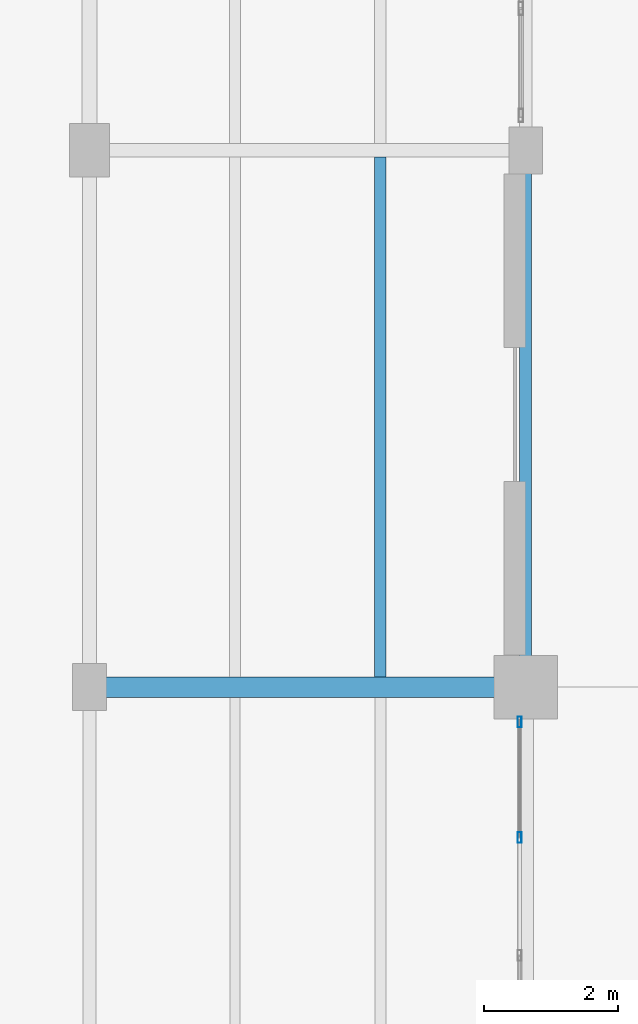
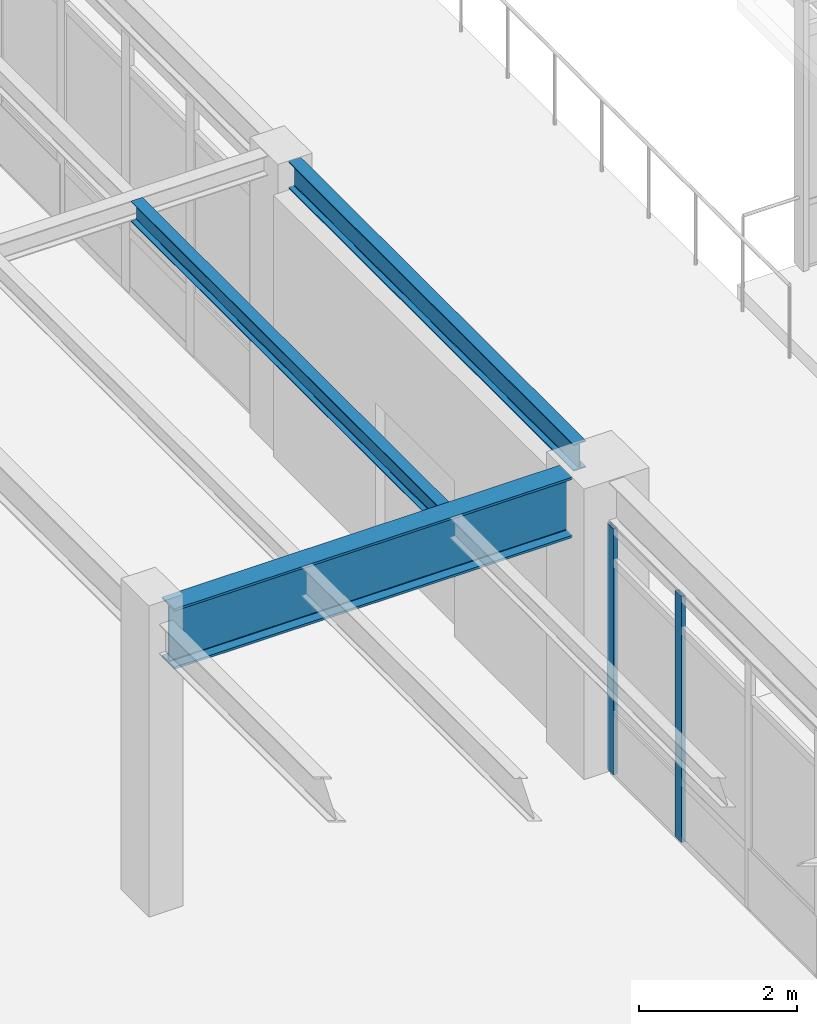
# One storey, part 121 of 200: 3 beams, 2 members, 1 element without a shape of its own.
"""IFC4 building model written with IfcOpenShell, lengths in metres."""

from ifc_helpers import new_model, si_unit, direction, frame, origin, origin_2d, place, context, subcontext, project, spatial, hollow_rectangle, i_section, extrude, material, material_profile, profile_set, type_object, element, aggregate, save


model = new_model("IFC4")

# Units and contexts
model_context = context("Model", 3, precision=1e-05, world=origin(), true_north=direction((0.0, 1.0)))
body_context = subcontext(model_context, "Body", "Model", "MODEL_VIEW")
ifc_project = project(units=[si_unit("LENGTHUNIT", "METRE"), si_unit("AREAUNIT", "SQUARE_METRE"), si_unit("VOLUMEUNIT", "CUBIC_METRE"), si_unit("PLANEANGLEUNIT", "RADIAN"), si_unit("MASSUNIT", "GRAM", prefix="KILO"), si_unit("THERMODYNAMICTEMPERATUREUNIT", "KELVIN"), si_unit("POWERUNIT", "WATT")], contexts=[model_context])

# Site, building, storey
site_placement = place(None, origin())
site = spatial("IfcSite", under=ifc_project, at=site_placement, CompositionType="ELEMENT")
building_placement = place(site_placement, origin())
building = spatial("IfcBuilding", under=site, at=building_placement, Name="Tepalcoro Natatorium and Aquatics Centre", CompositionType="ELEMENT")
storey_placement = place(building_placement, frame((0.0, 0.0, 5.39990234375)))
storey = spatial("IfcBuildingStorey", under=building, at=storey_placement, Name="L01", CompositionType="ELEMENT", Elevation=5.39990234375)

# Beam
ifc_material_1 = material(Name="Steel ASTM A992 Grade 50 (Fy 345 MPa)", Category="steel")
ifc_material_profile_1 = material_profile(ifc_material_1, i_section(OverallWidth=0.31005859375, OverallDepth=0.931884765625, WebThickness=0.02099609375, FlangeThickness=0.034912109375, FilletRadius=0.013916015625, at=origin_2d()), Name="W36X210")
ifc_profile_set_1 = profile_set([ifc_material_profile_1], Name="Steel ASTM A992 Grade 50 (Fy 345 MPa)")
beam_type_1 = type_object("IfcBeamType", Name="BM_W36x210", PredefinedType="BEAM", material=ifc_profile_set_1)
beam_1_placement = place(storey_placement, frame((125.235107421875, 36.0, 3.9990234375), z_axis=(1.0, 0.0, 0.0), x_axis=(0.0, 1.0, 0.0)))
element("IfcBeam", 1, at=beam_1_placement, inside=storey, type_object=beam_type_1, Name="V1 L01 Grid Girder X", PredefinedType="BEAM", context=body_context, shape_type="SweptSolid", body=[
    extrude(i_section(OverallWidth=0.31005859375, OverallDepth=0.931884765625, WebThickness=0.02099609375, FlangeThickness=0.034912109375, FilletRadius=0.013916015625, at=origin_2d()), origin(), (0.0, 0.0, 1.0), 5.804931640625),
])

# Curtain wall, members
ifc_material_2 = material(Name="Bronze-Anodised Extruded Aluminium Alloy EN AW-6063 T6", Category="aluminium")
curtain_wall_type = type_object("IfcCurtainWallType", Name="CW_V1_PLINTH", PredefinedType="USERDEFINED", material=ifc_material_2)
curtain_wall_placement = place(storey_placement, origin())
curtain_wall = element("IfcCurtainWall", 2, at=curtain_wall_placement, inside=storey, type_object=curtain_wall_type, Name="V1 L01 E Unitised Curtain Wall Bay 4", ObjectType="UNITISED STOREFRONT", PredefinedType="USERDEFINED")
ifc_material_profile_2 = material_profile(ifc_material_2, hollow_rectangle(XDim=0.06005859375, YDim=0.159912109375, WallThickness=0.00390625, at=origin_2d()), Name="AL60X160X4")
ifc_profile_set_2 = profile_set([ifc_material_profile_2], Name="Bronze-Anodised Extruded Aluminium Alloy EN AW-6063 T6")
member_type = type_object("IfcMemberType", Name="CW_MUL_60x160", PredefinedType="MULLION", material=ifc_profile_set_2)
member_1_placement = place(storey_placement, frame((131.409912109375, 33.760009765625, 0.02001953125), z_axis=(0.0, 0.0, 1.0), x_axis=(1.0, 0.0, 0.0)))
member_1 = element("IfcMember", 3, at=member_1_placement, type_object=member_type, Name="CW_V1_PLINTH Curtain Wall Mullion", PredefinedType="MULLION", context=body_context, shape_type="SweptSolid", body=[
    extrude(hollow_rectangle(XDim=0.06005859375, YDim=0.159912109375, WallThickness=0.00390625, at=origin_2d()), origin(), (0.0, 0.0, 1.0), 3.798095703125),
])
member_2_placement = place(storey_placement, frame((131.409912109375, 35.47998046875, 0.02001953125), z_axis=(0.0, 0.0, 1.0), x_axis=(1.0, 0.0, 0.0)))
member_2 = element("IfcMember", 4, at=member_2_placement, type_object=member_type, Name="CW_V1_PLINTH Curtain Wall Mullion", PredefinedType="MULLION", context=body_context, shape_type="SweptSolid", body=[
    extrude(hollow_rectangle(XDim=0.06005859375, YDim=0.159912109375, WallThickness=0.00390625, at=origin_2d()), origin(), (0.0, 0.0, 1.0), 3.798095703125),
])
aggregate(curtain_wall, [member_1, member_2])

# Beams
ifc_material_profile_3 = material_profile(ifc_material_1, i_section(OverallWidth=0.1669921875, OverallDepth=0.318115234375, WebThickness=0.008056640625, FlangeThickness=0.012939453125, FilletRadius=0.013916015625, at=origin_2d()), Name="W12X35")
ifc_profile_set_3 = profile_set([ifc_material_profile_3], Name="Steel ASTM A992 Grade 50 (Fy 345 MPa)")
beam_type_2 = type_object("IfcBeamType", Name="JS_W12x35", PredefinedType="JOIST", material=ifc_profile_set_3)
beam_2_placement = place(storey_placement, frame((129.333251953125, 36.155029296875, 4.30615234375), z_axis=(0.0, 1.0, 0.0), x_axis=(-1.0, 0.0, 0.0)))
element("IfcBeam", 5, at=beam_2_placement, inside=storey, type_object=beam_type_2, Name="V1 L01 Floor Joist", PredefinedType="JOIST", context=body_context, shape_type="SweptSolid", body=[
    extrude(i_section(OverallWidth=0.1669921875, OverallDepth=0.318115234375, WebThickness=0.008056640625, FlangeThickness=0.012939453125, FilletRadius=0.013916015625, at=origin_2d()), origin(), (0.0, 0.0, 1.0), 7.743408203125),
])
ifc_material_profile_4 = material_profile(ifc_material_1, i_section(OverallWidth=0.179931640625, OverallDepth=0.4130859375, WebThickness=0.010009765625, FlangeThickness=0.01611328125, FilletRadius=0.013916015625, at=origin_2d()), Name="W16X50")
ifc_profile_set_4 = profile_set([ifc_material_profile_4], Name="Steel ASTM A992 Grade 50 (Fy 345 MPa)")
beam_type_3 = type_object("IfcBeamType", Name="SP_HSS300x200x12", PredefinedType="SPANDREL", material=ifc_profile_set_4)
beam_3_placement = place(storey_placement, frame((131.5, 36.4599609375, 4.258544921875), z_axis=(0.0, 1.0, 0.0), x_axis=(-1.0, 0.0, 0.0)))
element("IfcBeam", 6, at=beam_3_placement, inside=storey, type_object=beam_type_3, Name="V1 L01 Grid Girder Y", PredefinedType="SPANDREL", context=body_context, shape_type="SweptSolid", body=[
    extrude(i_section(OverallWidth=0.179931640625, OverallDepth=0.4130859375, WebThickness=0.010009765625, FlangeThickness=0.01611328125, FilletRadius=0.013916015625, at=origin_2d()), origin(), (0.0, 0.0, 1.0), 7.205078125),
])

save(model, "model.ifc")
